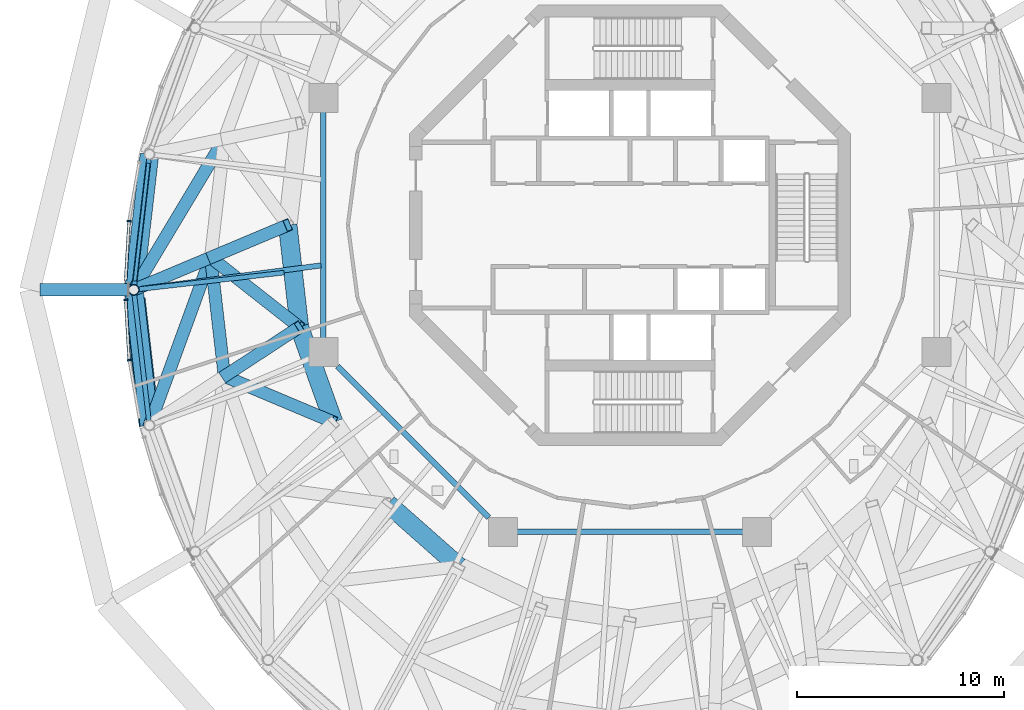
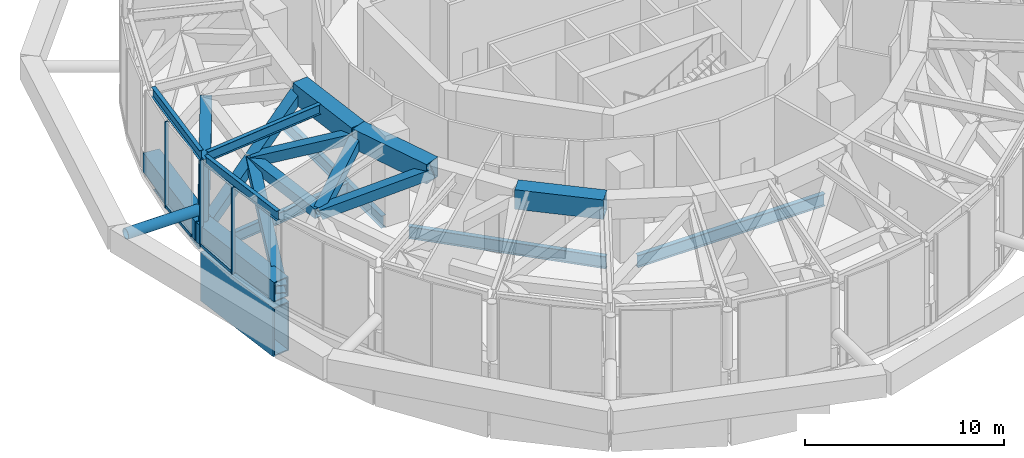
# One storey, part 4 of 22: 22 beams, 7 members, 3 elements without a shape of their own.
"""IFC4 building model written with IfcOpenShell, lengths in metres."""

from ifc_helpers import new_model, si_unit, direction, frame, origin, origin_2d, place, context, subcontext, project, spatial, rectangle, hollow_rectangle, hollow_circle, i_section, extrude, material, layer, layer_set, material_profile, profile_set, type_object, element, aggregate, save


model = new_model("IFC4")

# Units and contexts
model_context = context("Model", 3, precision=1e-05, world=origin(), true_north=direction((0.0, 1.0)))
body_context = subcontext(model_context, "Body", "Model", "MODEL_VIEW")
ifc_project = project(units=[si_unit("LENGTHUNIT", "METRE"), si_unit("AREAUNIT", "SQUARE_METRE"), si_unit("VOLUMEUNIT", "CUBIC_METRE"), si_unit("PLANEANGLEUNIT", "RADIAN"), si_unit("MASSUNIT", "GRAM", prefix="KILO")], contexts=[model_context])

# Site, building, storey
site_placement = place(None, origin())
site = spatial("IfcSite", under=ifc_project, at=site_placement, CompositionType="ELEMENT")
building_placement = place(site_placement, origin())
building = spatial("IfcBuilding", under=site, at=building_placement, Name="Nagisa Residences", CompositionType="ELEMENT")
storey_placement = place(building_placement, frame((0.0, 0.0, 310.300048828125)))
storey = spatial("IfcBuildingStorey", under=building, at=storey_placement, Name="L77", CompositionType="ELEMENT", Elevation=310.300048828125)

# Beams
ifc_material_1 = material(Name="Steel ASTM A572 Gr 50", Category="steel")
ifc_material_profile_1 = material_profile(ifc_material_1, hollow_rectangle(XDim=0.60009765625, YDim=0.60009765625, WallThickness=0.034912109375, at=origin_2d()), Name="BX 600x600x35")
ifc_profile_set_1 = profile_set([ifc_material_profile_1], Name="Steel ASTM A572 Gr 50")
beam_type_1 = type_object("IfcBeamType", Name="Belt chord 6 BX 600x600x35", PredefinedType="BEAM", material=ifc_profile_set_1)
beam_1_placement = place(storey_placement, frame((-20.2099609375, -1.558837890625, 2.64990234375), z_axis=(0.114173851429, -0.99346078516, 0.0), x_axis=(0.99346078516, 0.114173851429, 0.0)))
element("IfcBeam", 1, at=beam_1_placement, inside=storey, type_object=beam_type_1, Name="beam:L77:bt6m13", PredefinedType="BEAM", context=body_context, shape_type="SweptSolid", body=[
    extrude(hollow_rectangle(XDim=0.60009765625, YDim=0.60009765625, WallThickness=0.034912109375, at=origin_2d()), origin(), (0.0, 0.0, 1.0), 5.7626953125),
])
ifc_material_2 = material(Name="Steel ASTM A572 Gr 50", Category="steel")
ifc_material_profile_2 = material_profile(ifc_material_2, hollow_rectangle(XDim=0.89990234375, YDim=1.199951171875, WallThickness=0.0400390625, at=origin_2d()), Name="BX 900x1200x40")
ifc_profile_set_2 = profile_set([ifc_material_profile_2], Name="Steel ASTM A572 Gr 50")
beam_type_2 = type_object("IfcBeamType", Name="Belt chord 6 BX 900x1200x40", PredefinedType="BEAM", material=ifc_profile_set_2)
beam_2_placement = place(storey_placement, frame((-23.166259765625, 3.414794921875, 0.599853515625), z_axis=(-0.114611425134, -0.993410399195, 0.0), x_axis=(0.993410399195, -0.114611425134, 0.0)))
element("IfcBeam", 2, at=beam_2_placement, inside=storey, type_object=beam_type_2, Name="beam:L77:bt6b12", PredefinedType="BEAM", context=body_context, shape_type="SweptSolid", body=[
    extrude(hollow_rectangle(XDim=0.89990234375, YDim=1.199951171875, WallThickness=0.0400390625, at=origin_2d()), origin(), (0.0, 0.0, 1.0), 6.57568359375),
])
beam_3_placement = place(storey_placement, frame((-23.919921875, -3.11767578125, 0.599853515625), z_axis=(0.114607198137, -0.993410886862, 0.0), x_axis=(0.993410886862, 0.114607198137, 0.0)))
element("IfcBeam", 3, at=beam_3_placement, inside=storey, type_object=beam_type_2, Name="beam:L77:bt6b13", PredefinedType="BEAM", context=body_context, shape_type="SweptSolid", body=[
    extrude(hollow_rectangle(XDim=0.89990234375, YDim=1.199951171875, WallThickness=0.0400390625, at=origin_2d()), origin(), (0.0, 0.0, 1.0), 6.575927734375),
])
beam_4_placement = place(storey_placement, frame((-16.5, 0.0, 4.699951171875), z_axis=(0.113598063475, -0.993526788756, 0.0), x_axis=(0.993526788756, 0.113598063475, 0.0)))
element("IfcBeam", 4, at=beam_4_placement, inside=storey, type_object=beam_type_2, Name="beam:L77:bt6t13", PredefinedType="BEAM", context=body_context, shape_type="SweptSolid", body=[
    extrude(hollow_rectangle(XDim=0.89990234375, YDim=1.199951171875, WallThickness=0.0400390625, at=origin_2d()), origin(), (0.0, 0.0, 1.0), 4.949462890625),
])
beam_5_placement = place(storey_placement, frame((-15.937744140625, -4.91748046875, 4.699951171875), z_axis=(0.338488682224, -0.940970462877, 0.0), x_axis=(0.940970462877, 0.338488682224, 0.0)))
element("IfcBeam", 5, at=beam_5_placement, inside=storey, type_object=beam_type_2, Name="beam:L77:bt6t14", PredefinedType="BEAM", context=body_context, shape_type="SweptSolid", body=[
    extrude(hollow_rectangle(XDim=0.89990234375, YDim=1.199951171875, WallThickness=0.0400390625, at=origin_2d()), origin(), (0.0, 0.0, 1.0), 4.869873046875),
])
beam_6_placement = place(storey_placement, frame((-11.667236328125, -13.43505859375, 4.699951171875), z_axis=(0.749367388162, -0.662154451438, 0.0), x_axis=(0.662154451438, 0.749367388162, 0.0)))
element("IfcBeam", 6, at=beam_6_placement, inside=storey, type_object=beam_type_2, Name="beam:L77:bt6t16", PredefinedType="BEAM", context=body_context, shape_type="SweptSolid", body=[
    extrude(hollow_rectangle(XDim=0.89990234375, YDim=1.199951171875, WallThickness=0.0400390625, at=origin_2d()), origin(), (0.0, 0.0, 1.0), 4.56005859375),
])
ifc_material_3 = material(Name="Steel ASTM A572 Gr 50", Category="steel")
ifc_material_profile_3 = material_profile(ifc_material_3, hollow_rectangle(XDim=0.60009765625, YDim=0.60009765625, WallThickness=0.034912109375, at=origin_2d()), Name="BX 600x600x35")
ifc_profile_set_3 = profile_set([ifc_material_profile_3], Name="Steel ASTM A572 Gr 50")
beam_type_3 = type_object("IfcBeamType", Name="Belt diagonal 6 BX 600x600x35", PredefinedType="BEAM", material=ifc_profile_set_3)
beam_7_placement = place(storey_placement, frame((-23.919921875, -3.11767578125, 0.599853515625), z_axis=(0.49992714707, 0.833677627458, 0.234636870714), x_axis=(-0.857619717709, 0.514284376388, 0.0)))
element("IfcBeam", 7, at=beam_7_placement, inside=storey, type_object=beam_type_3, Name="beam:L77:bt6lb12", PredefinedType="BEAM", context=body_context, shape_type="SweptSolid", body=[
    extrude(hollow_rectangle(XDim=0.60009765625, YDim=0.60009765625, WallThickness=0.034912109375, at=origin_2d()), origin(), (0.0, 0.0, 1.0), 8.737060546875),
])
beam_8_placement = place(storey_placement, frame((-23.919921875, -3.11767578125, 0.599853515625), z_axis=(0.821469913428, 0.345162239881, 0.453927537711), x_axis=(-0.387370691967, 0.921924046223, 0.0)))
element("IfcBeam", 8, at=beam_8_placement, inside=storey, type_object=beam_type_3, Name="beam:L77:bt6la13", PredefinedType="BEAM", context=body_context, shape_type="SweptSolid", body=[
    extrude(hollow_rectangle(XDim=0.60009765625, YDim=0.60009765625, WallThickness=0.034912109375, at=origin_2d()), origin(), (0.0, 0.0, 1.0), 4.516357421875),
])
beam_9_placement = place(storey_placement, frame((-23.166259765625, -9.650390625, 0.599853515625), z_axis=(0.333846645725, 0.913756658623, 0.231506341081), x_axis=(-0.939273531836, 0.343169393145, 0.0)))
element("IfcBeam", 9, at=beam_9_placement, inside=storey, type_object=beam_type_3, Name="beam:L77:bt6lb13", PredefinedType="BEAM", context=body_context, shape_type="SweptSolid", body=[
    extrude(hollow_rectangle(XDim=0.60009765625, YDim=0.60009765625, WallThickness=0.034912109375, at=origin_2d()), origin(), (0.0, 0.0, 1.0), 8.855224609375),
])
beam_10_placement = place(storey_placement, frame((-20.2099609375, -1.558837890625, 2.64990234375), z_axis=(0.821469913428, 0.345162239881, 0.453927537711), x_axis=(-0.387370691967, 0.921924046223, 0.0)))
element("IfcBeam", 10, at=beam_10_placement, inside=storey, type_object=beam_type_3, Name="beam:L77:bt6ua13", PredefinedType="BEAM", context=body_context, shape_type="SweptSolid", body=[
    extrude(hollow_rectangle(XDim=0.60009765625, YDim=0.60009765625, WallThickness=0.034912109375, at=origin_2d()), origin(), (0.0, 0.0, 1.0), 4.516357421875),
])
beam_11_placement = place(storey_placement, frame((-20.2099609375, -1.558837890625, 2.64990234375), z_axis=(0.735551049651, -0.578260231445, 0.352958578429), x_axis=(0.618037793728, 0.786148386454, 0.0)))
element("IfcBeam", 11, at=beam_11_placement, inside=storey, type_object=beam_type_3, Name="beam:L77:bt6ub13", PredefinedType="BEAM", context=body_context, shape_type="SweptSolid", body=[
    extrude(hollow_rectangle(XDim=0.60009765625, YDim=0.60009765625, WallThickness=0.034912109375, at=origin_2d()), origin(), (0.0, 0.0, 1.0), 5.80810546875),
])
beam_12_placement = place(storey_placement, frame((-19.552001953125, -7.283935546875, 2.64990234375), z_axis=(0.75583529599, 0.494887295598, 0.428718520699), x_axis=(-0.547782174187, 0.83662099522, 0.0)))
element("IfcBeam", 12, at=beam_12_placement, inside=storey, type_object=beam_type_3, Name="beam:L77:bt6ua14", PredefinedType="BEAM", context=body_context, shape_type="SweptSolid", body=[
    extrude(hollow_rectangle(XDim=0.60009765625, YDim=0.60009765625, WallThickness=0.034912109375, at=origin_2d()), origin(), (0.0, 0.0, 1.0), 4.78173828125),
])
beam_13_placement = place(storey_placement, frame((-19.552001953125, -7.283935546875, 2.64990234375), z_axis=(0.867416452824, -0.365259748668, 0.337896453626), x_axis=(0.388085670762, 0.921623302738, 0.0)))
element("IfcBeam", 13, at=beam_13_placement, inside=storey, type_object=beam_type_3, Name="beam:L77:bt6ub14", PredefinedType="BEAM", context=body_context, shape_type="SweptSolid", body=[
    extrude(hollow_rectangle(XDim=0.60009765625, YDim=0.60009765625, WallThickness=0.034912109375, at=origin_2d()), origin(), (0.0, 0.0, 1.0), 6.067138671875),
])

# Curtain wall, member
ifc_material_4 = material(Name="Aluminium curtain wall system", Category="aluminium")
ifc_layer = layer(ifc_material_4, 0.159912109375)
ifc_layer_set = layer_set([ifc_layer], Name="CW2 CURTAIN WALL")
curtain_wall_type = type_object("IfcCurtainWallType", Name="CW2 CURTAIN WALL", PredefinedType="NOTDEFINED", material=ifc_layer_set)
curtain_wall_1_placement = place(storey_placement, origin())
curtain_wall_1 = element("IfcCurtainWall", 14, at=curtain_wall_1_placement, inside=storey, type_object=curtain_wall_type, Name="cw:CW2:L77:23", PredefinedType="NOTDEFINED")
ifc_material_5 = material(Name="Aluminium", Category="aluminium")
ifc_material_profile_4 = material_profile(ifc_material_5, rectangle(XDim=0.199951171875, YDim=0.080078125, at=origin_2d()), Name="CW2 MULLION 200x80")
ifc_profile_set_4 = profile_set([ifc_material_profile_4], Name="Aluminium")
member_type_1 = type_object("IfcMemberType", Name="CW2 MULLION 200x80", PredefinedType="MULLION", material=ifc_profile_set_4)
member_1_placement = place(storey_placement, frame((-24.14892578125, 0.197509765625, 0.0), z_axis=(0.0, 0.0, 1.0), x_axis=(0.998345305184, -0.057503492216, 0.0)))
member_1 = element("IfcMember", 15, at=member_1_placement, type_object=member_type_1, Name="CW2 mullion", PredefinedType="MULLION", context=body_context, shape_type="SweptSolid", body=[
    extrude(rectangle(XDim=0.199951171875, YDim=0.080078125, at=origin_2d()), origin(), (0.0, 0.0, 1.0), 5.300048828125),
])

curtain_wall_2_placement = place(storey_placement, origin())
curtain_wall_2 = element("IfcCurtainWall", 16, at=curtain_wall_2_placement, inside=storey, type_object=curtain_wall_type, Name="cw:CW2:L77:24", PredefinedType="NOTDEFINED")
member_2_placement = place(storey_placement, frame((-24.31201171875, -3.602294921875, 0.0), z_axis=(0.0, 0.0, 1.0), x_axis=(0.998345305184, 0.057503492216, 0.0)))
member_2 = element("IfcMember", 17, at=member_2_placement, type_object=member_type_1, Name="CW2 mullion", PredefinedType="MULLION", context=body_context, shape_type="SweptSolid", body=[
    extrude(rectangle(XDim=0.199951171875, YDim=0.080078125, at=origin_2d()), origin(), (0.0, 0.0, 1.0), 5.300048828125),
])

curtain_wall_3_placement = place(storey_placement, origin())
curtain_wall_3 = element("IfcCurtainWall", 18, at=curtain_wall_3_placement, inside=storey, type_object=curtain_wall_type, Name="cw:CW2:L77:25", PredefinedType="NOTDEFINED")
member_3_placement = place(storey_placement, frame((-24.140869140625, -6.503173828125, 0.0), z_axis=(0.0, 0.0, 1.0), x_axis=(0.985063604377, 0.172190868898, 0.0)))
member_3 = element("IfcMember", 19, at=member_3_placement, type_object=member_type_1, Name="CW2 mullion", PredefinedType="MULLION", context=body_context, shape_type="SweptSolid", body=[
    extrude(rectangle(XDim=0.199951171875, YDim=0.080078125, at=origin_2d()), origin(), (0.0, 0.0, 1.0), 5.300048828125),
])
aggregate(curtain_wall_3, [member_3])

# Member
ifc_material_6 = material(Name="Aluminium", Category="aluminium")
ifc_material_profile_5 = material_profile(ifc_material_6, rectangle(XDim=0.139892578125, YDim=0.179931640625, at=origin_2d()), Name="CW2 TRANSOM 140x180")
ifc_profile_set_5 = profile_set([ifc_material_profile_5], Name="Aluminium")
member_type_2 = type_object("IfcMemberType", Name="CW2 TRANSOM 140x180", PredefinedType="USERDEFINED", material=ifc_profile_set_5)
member_4_placement = place(storey_placement, frame((-24.146728515625, 0.237548828125, 0.08984375), z_axis=(-0.057445660401, -0.998348634547, 0.0), x_axis=(0.998348634547, -0.057445660401, 0.0)))
member_4 = element("IfcMember", 20, at=member_4_placement, type_object=member_type_2, Name="CW2 transom", ObjectType="TRANSOM", PredefinedType="USERDEFINED", context=body_context, shape_type="SweptSolid", body=[
    extrude(rectangle(XDim=0.139892578125, YDim=0.179931640625, at=origin_2d()), origin(), (0.0, 0.0, 1.0), 2.91552734375),
])

aggregate(curtain_wall_1, [member_1, member_4])

member_5_placement = place(storey_placement, frame((-24.314208984375, -3.562255859375, 0.08984375), z_axis=(0.057445660401, -0.998348634547, 0.0), x_axis=(0.998348634547, 0.057445660401, 0.0)))
member_5 = element("IfcMember", 21, at=member_5_placement, type_object=member_type_2, Name="CW2 transom", ObjectType="TRANSOM", PredefinedType="USERDEFINED", context=body_context, shape_type="SweptSolid", body=[
    extrude(rectangle(XDim=0.139892578125, YDim=0.179931640625, at=origin_2d()), origin(), (0.0, 0.0, 1.0), 2.91552734375),
])

aggregate(curtain_wall_2, [member_2, member_5])

ifc_material_7 = material(Name="Steel ASTM A572 Gr 65", Category="steel")
ifc_material_profile_6 = material_profile(ifc_material_7, hollow_circle(Radius=0.304931640625, WallThickness=0.02490234375, at=origin_2d()), Name="CHS 610x25")
ifc_profile_set_6 = profile_set([ifc_material_profile_6], Name="Steel ASTM A572 Gr 65")
member_type_3 = type_object("IfcMemberType", Name="Cage strut CHS 610x25", PredefinedType="STRUT", material=ifc_profile_set_6)
member_6_placement = place(storey_placement, frame((-28.43994140625, -3.11767578125, 1.89990234375), z_axis=(1.0, 0.0, 0.0), x_axis=(0.0, 1.0, 0.0)))
element("IfcMember", 22, at=member_6_placement, inside=storey, type_object=member_type_3, Name="mem:L77:cg6tie07", PredefinedType="STRUT", context=body_context, shape_type="SweptSolid", body=[
    extrude(hollow_circle(Radius=0.304931640625, WallThickness=0.02490234375, at=origin_2d()), origin(), (0.0, 0.0, 1.0), 4.245849609375),
])

# Beams
ifc_material_8 = material(Name="Steel ASTM A572 Gr 50", Category="steel")
ifc_material_profile_7 = material_profile(ifc_material_8, i_section(OverallWidth=0.22802734375, OverallDepth=0.60302734375, WebThickness=0.010498046875, FlangeThickness=0.014892578125, at=origin_2d()), Name="W610x101")
ifc_profile_set_7 = profile_set([ifc_material_profile_7], Name="Steel ASTM A572 Gr 50")
beam_type_4 = type_object("IfcBeamType", Name="Garden edge beam W610x101", PredefinedType="BEAM", material=ifc_profile_set_7)
for number, where, z_axis, x_axis, name in (
    (23, (-23.193115234375, 3.182373046875, 4.99853515625), (-0.114598316112, -0.993411911517, 0.0), (0.993411911517, -0.114598316112, 0.0), "beam:L77:bt6ge12"),
    (24, (-23.89306640625, -3.35009765625, 4.99853515625), (0.114598316112, -0.993411911517, 0.0), (0.993411911517, 0.114598316112, 0.0), "beam:L77:bt6ge13"),
):
    element("IfcBeam", number, at=place(storey_placement, frame(where, z_axis=z_axis, x_axis=x_axis)), inside=storey, type_object=beam_type_4, Name=name, PredefinedType="BEAM", context=body_context, shape_type="SweptSolid", body=[
        extrude(i_section(OverallWidth=0.22802734375, OverallDepth=0.60302734375, WebThickness=0.010498046875, FlangeThickness=0.014892578125, at=origin_2d()), origin(), (0.0, 0.0, 1.0), 6.10791015625),
    ])

# Member
ifc_material_9 = material(Name="Steel ASTM A572 Gr 65", Category="steel")
ifc_material_profile_8 = material_profile(ifc_material_9, hollow_circle(Radius=0.25390625, WallThickness=0.02001953125, at=origin_2d()), Name="CHS 508x20")
ifc_profile_set_8 = profile_set([ifc_material_profile_8], Name="Steel ASTM A572 Gr 65")
member_type_4 = type_object("IfcMemberType", Name="Garden edge post CHS 508x20", PredefinedType="POST", material=ifc_profile_set_8)
member_7_placement = place(storey_placement, frame((-23.919921875, -3.11767578125, 1.199951171875), z_axis=(0.0, 0.0, 1.0), x_axis=(1.0, 0.0, 0.0)))
element("IfcMember", 25, at=member_7_placement, inside=storey, type_object=member_type_4, Name="mem:L77:gp613", PredefinedType="POST", context=body_context, shape_type="SweptSolid", body=[
    extrude(hollow_circle(Radius=0.25390625, WallThickness=0.02001953125, at=origin_2d()), origin(), (0.0, 0.0, 1.0), 3.4970703125),
])

# Beams
ifc_material_10 = material(Name="Steel ASTM A572 Gr 50", Category="steel")
ifc_material_profile_9 = material_profile(ifc_material_10, i_section(OverallWidth=0.22802734375, OverallDepth=0.60302734375, WebThickness=0.010498046875, FlangeThickness=0.014892578125, at=origin_2d()), Name="W610x101")
ifc_profile_set_9 = profile_set([ifc_material_profile_9], Name="Steel ASTM A572 Gr 50")
beam_type_5 = type_object("IfcBeamType", Name="Garden radial beam W610x101", PredefinedType="BEAM", material=ifc_profile_set_9)
beam_14_placement = place(storey_placement, frame((-23.6875, -3.091064453125, 4.99853515625), z_axis=(0.993526654125, 0.113599240943, 0.0), x_axis=(-0.113599240943, 0.993526654125, 0.0)))
element("IfcBeam", 26, at=beam_14_placement, inside=storey, type_object=beam_type_5, Name="beam:L77:bt6gr13", PredefinedType="BEAM", context=body_context, shape_type="SweptSolid", body=[
    extrude(i_section(OverallWidth=0.22802734375, OverallDepth=0.60302734375, WebThickness=0.010498046875, FlangeThickness=0.014892578125, at=origin_2d()), origin(), (0.0, 0.0, 1.0), 7.06201171875),
])
ifc_material_11 = material(Name="Steel ASTM A572 Gr 50", Category="steel")
ifc_material_profile_10 = material_profile(ifc_material_11, i_section(OverallWidth=0.264892578125, OverallDepth=0.7529296875, WebThickness=0.01318359375, FlangeThickness=0.01708984375, at=origin_2d()), Name="W760x147")
ifc_profile_set_10 = profile_set([ifc_material_profile_10], Name="Steel ASTM A572 Gr 50")
beam_type_6 = type_object("IfcBeamType", Name="Inner ring beam W760x147", PredefinedType="BEAM", material=ifc_profile_set_10)
beam_15_placement = place(storey_placement, frame((-14.781982421875, 5.44287109375, -0.7265625), z_axis=(0.0, -1.0, 0.0), x_axis=(1.0, 0.0, 0.0)))
element("IfcBeam", 27, at=beam_15_placement, inside=storey, type_object=beam_type_6, Name="beam:L77:ib4", PredefinedType="BEAM", context=body_context, shape_type="SweptSolid", body=[
    extrude(i_section(OverallWidth=0.264892578125, OverallDepth=0.7529296875, WebThickness=0.01318359375, FlangeThickness=0.01708984375, at=origin_2d()), origin(), (0.0, 0.0, 1.0), 10.8857421875),
])
beam_16_placement = place(storey_placement, frame((-14.09619140625, -6.808837890625, -0.7265625), z_axis=(0.707106781187, -0.707106781187, 0.0), x_axis=(0.707106781187, 0.707106781187, 0.0)))
element("IfcBeam", 28, at=beam_16_placement, inside=storey, type_object=beam_type_6, Name="beam:L77:ib5", PredefinedType="BEAM", context=body_context, shape_type="SweptSolid", body=[
    extrude(i_section(OverallWidth=0.264892578125, OverallDepth=0.7529296875, WebThickness=0.01318359375, FlangeThickness=0.01708984375, at=origin_2d()), origin(), (0.0, 0.0, 1.0), 10.305908203125),
])
beam_17_placement = place(storey_placement, frame((-5.44287109375, -14.781982421875, -0.7265625), z_axis=(1.0, 0.0, 0.0), x_axis=(0.0, 1.0, 0.0)))
element("IfcBeam", 29, at=beam_17_placement, inside=storey, type_object=beam_type_6, Name="beam:L77:ib6", PredefinedType="BEAM", context=body_context, shape_type="SweptSolid", body=[
    extrude(i_section(OverallWidth=0.264892578125, OverallDepth=0.7529296875, WebThickness=0.01318359375, FlangeThickness=0.01708984375, at=origin_2d()), origin(), (0.0, 0.0, 1.0), 10.8857421875),
])
ifc_material_12 = material(Name="Steel ASTM A572 Gr 50", Category="steel")
ifc_material_profile_11 = material_profile(ifc_material_12, i_section(OverallWidth=0.166015625, OverallDepth=0.534912109375, WebThickness=0.01025390625, FlangeThickness=0.0166015625, at=origin_2d()), Name="W530x85")
ifc_profile_set_11 = profile_set([ifc_material_profile_11], Name="Steel ASTM A572 Gr 50")
beam_type_7 = type_object("IfcBeamType", Name="Perimeter ring beam W530x85", PredefinedType="BEAM", material=ifc_profile_set_11)
beam_18_placement = place(storey_placement, frame((-23.2158203125, 2.984619140625, -0.617431640625), z_axis=(-0.114635468623, -0.993407624962, 0.0), x_axis=(0.993407624962, -0.114635468623, 0.0)))
element("IfcBeam", 30, at=beam_18_placement, inside=storey, type_object=beam_type_7, Name="beam:L77:pb12", PredefinedType="BEAM", context=body_context, shape_type="SweptSolid", body=[
    extrude(i_section(OverallWidth=0.166015625, OverallDepth=0.534912109375, WebThickness=0.01025390625, FlangeThickness=0.0166015625, at=origin_2d()), origin(), (0.0, 0.0, 1.0), 5.709716796875),
])
ifc_material_13 = material(Name="Steel ASTM A572 Gr 50", Category="steel")
ifc_material_profile_12 = material_profile(ifc_material_13, hollow_rectangle(XDim=1.0, YDim=3.0, WallThickness=0.070068359375, at=origin_2d()), Name="BX 1000x3000x70")
ifc_profile_set_12 = profile_set([ifc_material_profile_12], Name="Steel ASTM A572 Gr 50")
beam_type_8 = type_object("IfcBeamType", Name="Portal lintel girder BX 1000x3000x70", PredefinedType="BEAM", material=ifc_profile_set_12)
beam_19_placement = place(storey_placement, frame((-23.870361328125, -3.5478515625, -1.85009765625), z_axis=(0.114618074048, -0.993409632076, 0.0), x_axis=(0.993409632076, 0.114618074048, 0.0)))
element("IfcBeam", 31, at=beam_19_placement, inside=storey, type_object=beam_type_8, Name="beam:L77:pb13", PredefinedType="BEAM", context=body_context, shape_type="SweptSolid", body=[
    extrude(hollow_rectangle(XDim=1.0, YDim=3.0, WallThickness=0.070068359375, at=origin_2d()), origin(), (0.0, 0.0, 1.0), 6.14306640625),
])
ifc_material_14 = material(Name="Steel ASTM A572 Gr 50", Category="steel")
ifc_material_profile_13 = material_profile(ifc_material_14, i_section(OverallWidth=0.2529296875, OverallDepth=0.677978515625, WebThickness=0.01171875, FlangeThickness=0.016357421875, at=origin_2d()), Name="W690x125")
ifc_profile_set_13 = profile_set([ifc_material_profile_13], Name="Steel ASTM A572 Gr 50")
beam_type_9 = type_object("IfcBeamType", Name="Radial beam W690x125", PredefinedType="BEAM", material=ifc_profile_set_13)
beam_20_placement = place(storey_placement, frame((-23.539794921875, -3.068115234375, -0.68896484375), z_axis=(0.99161367913, 0.129237422456, 0.0), x_axis=(-0.129237422456, 0.99161367913, 0.0)))
element("IfcBeam", 32, at=beam_20_placement, inside=storey, type_object=beam_type_9, Name="beam:L77:rb13", PredefinedType="BEAM", context=body_context, shape_type="SweptSolid", body=[
    extrude(i_section(OverallWidth=0.2529296875, OverallDepth=0.677978515625, WebThickness=0.01171875, FlangeThickness=0.016357421875, at=origin_2d()), origin(), (0.0, 0.0, 1.0), 8.718017578125),
])

save(model, "model.ifc")
